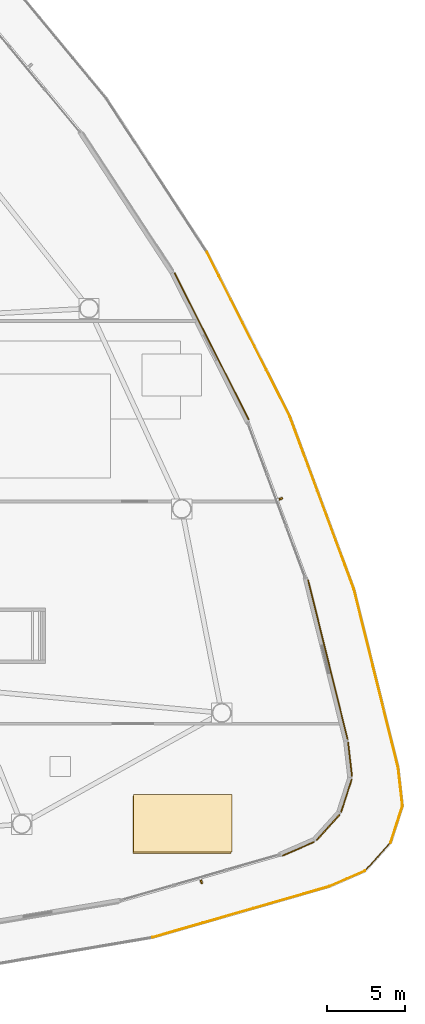
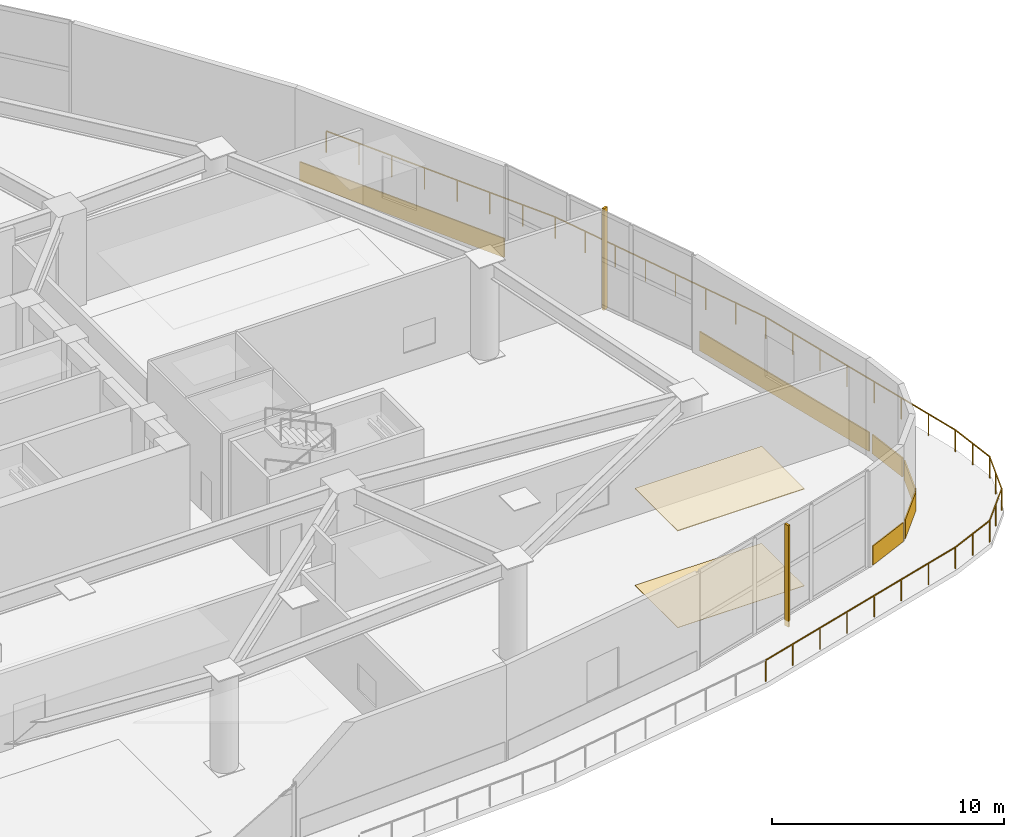
# One storey, part 24 of 25: 8 coverings, 8 railings, 2 shading devices.
"""IFC4 building model written with IfcOpenShell, lengths in metres."""

from ifc_helpers import new_model, si_unit, direction, frame, origin, origin_2d, place, context, subcontext, project, spatial, polyline, rectangle, outline, extrude, source, transform, mapped, material, layer, layer_set, type_object, type_shapes, element, save


model = new_model("IFC4")

# Units and contexts
model_context = context("Model", 3, precision=1e-05, world=origin(), true_north=direction((0.0, 1.0)))
body_context = subcontext(model_context, "Body", "Model", "MODEL_VIEW")
ifc_project = project(units=[si_unit("LENGTHUNIT", "METRE"), si_unit("AREAUNIT", "SQUARE_METRE"), si_unit("VOLUMEUNIT", "CUBIC_METRE"), si_unit("PLANEANGLEUNIT", "RADIAN"), si_unit("MASSUNIT", "GRAM", prefix="KILO")], contexts=[model_context])

# Site, building, storey
site_placement = place(None, origin())
site = spatial("IfcSite", under=ifc_project, at=site_placement, CompositionType="ELEMENT")
building_placement = place(site_placement, origin())
building = spatial("IfcBuilding", under=site, at=building_placement, Name="Tavelor Broadcast Tower", CompositionType="ELEMENT")
storey_placement = place(building_placement, frame((0.0, 0.0, 11.39990234375)))
storey = spatial("IfcBuildingStorey", under=building, at=storey_placement, Name="L02", CompositionType="ELEMENT", Elevation=11.39990234375)

# Covering
ifc_material_1 = material(Name="Acoustic Nylon Carpet Tile")
ifc_layer_1 = layer(ifc_material_1, 0.02001953125)
ifc_layer_set_1 = layer_set([ifc_layer_1], Name="Acoustic Nylon Carpet Tile")
covering_type_1 = type_object("IfcCoveringType", Name="Heavy-Duty Acoustic Broadcast Carpet Tile 20 mm", PredefinedType="FLOORING", material=ifc_layer_set_1)
covering_1_placement = place(storey_placement, origin())
element("IfcCovering", 1, at=covering_1_placement, inside=storey, type_object=covering_type_1, Name="L02 Broadcast Floor Finish 0027", PredefinedType="FLOORING", context=body_context, shape_type="SweptSolid", body=[
    extrude(outline(polyline([(72.10546875, 22.002685546875), (78.4013671875, 22.002685546875), (78.4013671875, 25.68359375), (72.10546875, 25.68359375), (72.10546875, 22.002685546875)])), origin(), (0.0, 0.0, 1.0), 0.02001953125),
])

# Railings
ifc_material_2 = material(Name="Steel S355", Category="steel")
railing_type = type_object("IfcRailingType", Name="Planted Terrace Laminated Glass Balustrade 1150 mm", PredefinedType="BALUSTRADE", material=ifc_material_2)
railing_1_placement = place(storey_placement, frame((73.37451171875, 16.621826171875, 0.0)))
element("IfcRailing", 2, at=railing_1_placement, inside=storey, type_object=railing_type, Name="L02 Cascading Garden Terrace 1 Balustrade #53", PredefinedType="BALUSTRADE", context=body_context, shape_type="SweptSolid", body=[
    extrude(rectangle(XDim=0.048095703125, YDim=0.048095703125, at=origin_2d()), frame((0.0, 0.0, 1.1259765625), z_axis=(0.960876050764, 0.276978726743, 0.0), x_axis=(-0.276978726743, 0.960876050764, 0.0)), (0.0, 0.0, 1.0), 11.793701171875),
    extrude(rectangle(XDim=0.0419921875, YDim=0.0419921875, at=origin_2d()), origin(), (0.0, 0.0, 1.0), 1.101806640625),
    extrude(rectangle(XDim=0.0419921875, YDim=0.0419921875, at=origin_2d()), frame((1.618896484375, 0.466552734375, 0.0)), (0.0, 0.0, 1.0), 1.101806640625),
    extrude(rectangle(XDim=0.0419921875, YDim=0.0419921875, at=origin_2d()), frame((3.23779296875, 0.933349609375, 0.0)), (0.0, 0.0, 1.0), 1.101806640625),
    extrude(rectangle(XDim=0.0419921875, YDim=0.0419921875, at=origin_2d()), frame((4.856689453125, 1.39990234375, 0.0)), (0.0, 0.0, 1.0), 1.101806640625),
    extrude(rectangle(XDim=0.0419921875, YDim=0.0419921875, at=origin_2d()), frame((6.4755859375, 1.86669921875, 0.0)), (0.0, 0.0, 1.0), 1.101806640625),
    extrude(rectangle(XDim=0.0419921875, YDim=0.0419921875, at=origin_2d()), frame((8.094482421875, 2.333251953125, 0.0)), (0.0, 0.0, 1.0), 1.101806640625),
    extrude(rectangle(XDim=0.0419921875, YDim=0.0419921875, at=origin_2d()), frame((9.71337890625, 2.800048828125, 0.0)), (0.0, 0.0, 1.0), 1.101806640625),
    extrude(rectangle(XDim=0.0419921875, YDim=0.0419921875, at=origin_2d()), frame((11.332275390625, 3.2666015625, 0.0)), (0.0, 0.0, 1.0), 1.101806640625),
])
railing_2_placement = place(storey_placement, frame((84.694580078125, 19.884033203125, 0.0)))
element("IfcRailing", 3, at=railing_2_placement, inside=storey, type_object=railing_type, Name="L02 Cascading Garden Terrace 1 Balustrade #54", PredefinedType="BALUSTRADE", context=body_context, shape_type="SweptSolid", body=[
    extrude(rectangle(XDim=0.048095703125, YDim=0.048095703125, at=origin_2d()), frame((0.0, 0.0, 1.1259765625), z_axis=(0.9167023735, 0.399570717671, 0.0), x_axis=(-0.399570717671, 0.9167023735, 0.0)), (0.0, 0.0, 1.0), 2.504638671875),
    extrude(rectangle(XDim=0.0419921875, YDim=0.0419921875, at=origin_2d()), origin(), (0.0, 0.0, 1.0), 1.101806640625),
    extrude(rectangle(XDim=0.0419921875, YDim=0.0419921875, at=origin_2d()), frame((1.14794921875, 0.50048828125, 0.0)), (0.0, 0.0, 1.0), 1.101806640625),
    extrude(rectangle(XDim=0.0419921875, YDim=0.0419921875, at=origin_2d()), frame((2.2958984375, 1.000732421875, 0.0)), (0.0, 0.0, 1.0), 1.101806640625),
])
railing_3_placement = place(storey_placement, frame((86.95654296875, 20.860107421875, 0.0)))
element("IfcRailing", 4, at=railing_3_placement, inside=storey, type_object=railing_type, Name="L02 Cascading Garden Terrace 1 Balustrade #55", PredefinedType="BALUSTRADE", context=body_context, shape_type="SweptSolid", body=[
    extrude(rectangle(XDim=0.048095703125, YDim=0.048095703125, at=origin_2d()), frame((0.0, 0.0, 1.1259765625), z_axis=(0.671040935309, 0.741420301273, 0.0), x_axis=(-0.741420301273, 0.671040935309, 0.0)), (0.0, 0.0, 1.0), 2.504638671875),
    extrude(rectangle(XDim=0.0419921875, YDim=0.0419921875, at=origin_2d()), origin(), (0.0, 0.0, 1.0), 1.101806640625),
    extrude(rectangle(XDim=0.0419921875, YDim=0.0419921875, at=origin_2d()), frame((0.84033203125, 0.928466796875, 0.0)), (0.0, 0.0, 1.0), 1.101806640625),
    extrude(rectangle(XDim=0.0419921875, YDim=0.0419921875, at=origin_2d()), frame((1.6806640625, 1.85693359375, 0.0)), (0.0, 0.0, 1.0), 1.101806640625),
])
railing_4_placement = place(storey_placement, frame((88.6162109375, 22.6806640625, 0.0)))
element("IfcRailing", 5, at=railing_4_placement, inside=storey, type_object=railing_type, Name="L02 Cascading Garden Terrace 1 Balustrade #56", PredefinedType="BALUSTRADE", context=body_context, shape_type="SweptSolid", body=[
    extrude(rectangle(XDim=0.048095703125, YDim=0.048095703125, at=origin_2d()), frame((0.0, 0.0, 1.1259765625), z_axis=(0.306472984864, 0.951879356614, 0.0), x_axis=(-0.951879356614, 0.306472984864, 0.0)), (0.0, 0.0, 1.0), 2.504638671875),
    extrude(rectangle(XDim=0.0419921875, YDim=0.0419921875, at=origin_2d()), origin(), (0.0, 0.0, 1.0), 1.101806640625),
    extrude(rectangle(XDim=0.0419921875, YDim=0.0419921875, at=origin_2d()), frame((0.3837890625, 1.19189453125, 0.0)), (0.0, 0.0, 1.0), 1.101806640625),
    extrude(rectangle(XDim=0.0419921875, YDim=0.0419921875, at=origin_2d()), frame((0.767578125, 2.384033203125, 0.0)), (0.0, 0.0, 1.0), 1.101806640625),
])
railing_5_placement = place(storey_placement, frame((89.379638671875, 25.022705078125, 0.0)))
element("IfcRailing", 6, at=railing_5_placement, inside=storey, type_object=railing_type, Name="L02 Cascading Garden Terrace 1 Balustrade #57", PredefinedType="BALUSTRADE", context=body_context, shape_type="SweptSolid", body=[
    extrude(rectangle(XDim=0.048095703125, YDim=0.048095703125, at=origin_2d()), frame((0.0, 0.0, 1.1259765625), z_axis=(-0.112282019589, 0.993676379953, 0.0), x_axis=(-0.993676379953, -0.112282019589, 0.0)), (0.0, 0.0, 1.0), 2.5048828125),
    extrude(rectangle(XDim=0.0419921875, YDim=0.0419921875, at=origin_2d()), origin(), (0.0, 0.0, 1.0), 1.101806640625),
    extrude(rectangle(XDim=0.0419921875, YDim=0.0419921875, at=origin_2d()), frame((-0.140625, 1.24462890625, 0.0)), (0.0, 0.0, 1.0), 1.101806640625),
    extrude(rectangle(XDim=0.0419921875, YDim=0.0419921875, at=origin_2d()), frame((-0.28125, 2.489013671875, 0.0)), (0.0, 0.0, 1.0), 1.101806640625),
])
railing_6_placement = place(storey_placement, frame((89.1005859375, 27.498779296875, 0.0)))
element("IfcRailing", 7, at=railing_6_placement, inside=storey, type_object=railing_type, Name="L02 Cascading Garden Terrace 1 Balustrade #58", PredefinedType="BALUSTRADE", context=body_context, shape_type="SweptSolid", body=[
    extrude(rectangle(XDim=0.048095703125, YDim=0.048095703125, at=origin_2d()), frame((0.0, 0.0, 1.1259765625), z_axis=(-0.240567305341, 0.970632459585, 0.0), x_axis=(-0.970632459585, -0.240567305341, 0.0)), (0.0, 0.0, 1.0), 11.793701171875),
    extrude(rectangle(XDim=0.0419921875, YDim=0.0419921875, at=origin_2d()), origin(), (0.0, 0.0, 1.0), 1.101806640625),
    extrude(rectangle(XDim=0.0419921875, YDim=0.0419921875, at=origin_2d()), frame((-0.4052734375, 1.63525390625, 0.0)), (0.0, 0.0, 1.0), 1.101806640625),
    extrude(rectangle(XDim=0.0419921875, YDim=0.0419921875, at=origin_2d()), frame((-0.810546875, 3.270751953125, 0.0)), (0.0, 0.0, 1.0), 1.101806640625),
    extrude(rectangle(XDim=0.0419921875, YDim=0.0419921875, at=origin_2d()), frame((-1.2158203125, 4.906005859375, 0.0)), (0.0, 0.0, 1.0), 1.101806640625),
    extrude(rectangle(XDim=0.0419921875, YDim=0.0419921875, at=origin_2d()), frame((-1.621337890625, 6.541259765625, 0.0)), (0.0, 0.0, 1.0), 1.101806640625),
    extrude(rectangle(XDim=0.0419921875, YDim=0.0419921875, at=origin_2d()), frame((-2.026611328125, 8.176513671875, 0.0)), (0.0, 0.0, 1.0), 1.101806640625),
    extrude(rectangle(XDim=0.0419921875, YDim=0.0419921875, at=origin_2d()), frame((-2.431884765625, 9.81201171875, 0.0)), (0.0, 0.0, 1.0), 1.101806640625),
    extrude(rectangle(XDim=0.0419921875, YDim=0.0419921875, at=origin_2d()), frame((-2.837158203125, 11.447265625, 0.0)), (0.0, 0.0, 1.0), 1.101806640625),
])
railing_7_placement = place(storey_placement, frame((86.2666015625, 38.935302734375, 0.0)))
element("IfcRailing", 8, at=railing_7_placement, inside=storey, type_object=railing_type, Name="L02 Cascading Garden Terrace 1 Balustrade #59", PredefinedType="BALUSTRADE", context=body_context, shape_type="SweptSolid", body=[
    extrude(rectangle(XDim=0.048095703125, YDim=0.048095703125, at=origin_2d()), frame((0.0, 0.0, 1.1259765625), z_axis=(-0.347772777481, 0.937578847481, 0.0), x_axis=(-0.937578847481, -0.347772777481, 0.0)), (0.0, 0.0, 1.0), 11.793701171875),
    extrude(rectangle(XDim=0.0419921875, YDim=0.0419921875, at=origin_2d()), origin(), (0.0, 0.0, 1.0), 1.101806640625),
    extrude(rectangle(XDim=0.0419921875, YDim=0.0419921875, at=origin_2d()), frame((-0.5859375, 1.57958984375, 0.0)), (0.0, 0.0, 1.0), 1.101806640625),
    extrude(rectangle(XDim=0.0419921875, YDim=0.0419921875, at=origin_2d()), frame((-1.171875, 3.159423828125, 0.0)), (0.0, 0.0, 1.0), 1.101806640625),
    extrude(rectangle(XDim=0.0419921875, YDim=0.0419921875, at=origin_2d()), frame((-1.7578125, 4.739013671875, 0.0)), (0.0, 0.0, 1.0), 1.101806640625),
    extrude(rectangle(XDim=0.0419921875, YDim=0.0419921875, at=origin_2d()), frame((-2.34375, 6.318603515625, 0.0)), (0.0, 0.0, 1.0), 1.101806640625),
    extrude(rectangle(XDim=0.0419921875, YDim=0.0419921875, at=origin_2d()), frame((-2.9296875, 7.898193359375, 0.0)), (0.0, 0.0, 1.0), 1.101806640625),
    extrude(rectangle(XDim=0.0419921875, YDim=0.0419921875, at=origin_2d()), frame((-3.515625, 9.47802734375, 0.0)), (0.0, 0.0, 1.0), 1.101806640625),
    extrude(rectangle(XDim=0.0419921875, YDim=0.0419921875, at=origin_2d()), frame((-4.1015625, 11.0576171875, 0.0)), (0.0, 0.0, 1.0), 1.101806640625),
])
railing_8_placement = place(storey_placement, frame((82.16943359375, 49.982666015625, 0.0)))
element("IfcRailing", 9, at=railing_8_placement, inside=storey, type_object=railing_type, Name="L02 Cascading Garden Terrace 1 Balustrade #60", PredefinedType="BALUSTRADE", context=body_context, shape_type="SweptSolid", body=[
    extrude(rectangle(XDim=0.048095703125, YDim=0.048095703125, at=origin_2d()), frame((0.0, 0.0, 1.1259765625), z_axis=(-0.450621886257, 0.892714912851, 0.0), x_axis=(-0.892714912851, -0.450621886257, 0.0)), (0.0, 0.0, 1.0), 11.793701171875),
    extrude(rectangle(XDim=0.0419921875, YDim=0.0419921875, at=origin_2d()), origin(), (0.0, 0.0, 1.0), 1.101806640625),
    extrude(rectangle(XDim=0.0419921875, YDim=0.0419921875, at=origin_2d()), frame((-0.75927734375, 1.504150390625, 0.0)), (0.0, 0.0, 1.0), 1.101806640625),
    extrude(rectangle(XDim=0.0419921875, YDim=0.0419921875, at=origin_2d()), frame((-1.518310546875, 3.008056640625, 0.0)), (0.0, 0.0, 1.0), 1.101806640625),
    extrude(rectangle(XDim=0.0419921875, YDim=0.0419921875, at=origin_2d()), frame((-2.277587890625, 4.51220703125, 0.0)), (0.0, 0.0, 1.0), 1.101806640625),
    extrude(rectangle(XDim=0.0419921875, YDim=0.0419921875, at=origin_2d()), frame((-3.036865234375, 6.01611328125, 0.0)), (0.0, 0.0, 1.0), 1.101806640625),
    extrude(rectangle(XDim=0.0419921875, YDim=0.0419921875, at=origin_2d()), frame((-3.796142578125, 7.520263671875, 0.0)), (0.0, 0.0, 1.0), 1.101806640625),
    extrude(rectangle(XDim=0.0419921875, YDim=0.0419921875, at=origin_2d()), frame((-4.55517578125, 9.024169921875, 0.0)), (0.0, 0.0, 1.0), 1.101806640625),
    extrude(rectangle(XDim=0.0419921875, YDim=0.0419921875, at=origin_2d()), frame((-5.314453125, 10.5283203125, 0.0)), (0.0, 0.0, 1.0), 1.101806640625),
])

# Coverings
ifc_material_3 = material(Name="Kiln-Fired Glazed Terracotta", Category="masonry")
ifc_layer_2 = layer(ifc_material_3, 0.06494140625)
ifc_layer_set_2 = layer_set([ifc_layer_2], Name="Kiln-Fired Glazed Terracotta")
covering_type_2 = type_object("IfcCoveringType", Name="Ribbed Terracotta Rainscreen Spandrel Cladding 65 mm", PredefinedType="CLADDING", material=ifc_layer_set_2)
for number, where, z_axis, x_axis, name in (
    (10, (82.71044921875, 22.291748046875, 0.050048828125), (0.0, 0.0, 1.0), (0.916711751032, 0.399549202878, 0.0), "L02 Terracotta Spandrel Rainscreen 21"),
    (11, (84.615478515625, 23.66064453125, 0.050048828125), (0.0, 0.0, 1.0), (0.671073859667, 0.741390500932, 0.0), "L02 Terracotta Spandrel Rainscreen 22"),
    (12, (85.7880859375, 25.69189453125, 0.050048828125), (0.0, 0.0, 1.0), (0.306526078098, 0.951862260753, 0.0), "L02 Terracotta Spandrel Rainscreen 23"),
    (13, (86.021240234375, 28.02587890625, 0.050048828125), (0.0, 0.0, 1.0), (-0.112336115762, 0.99367026578, 0.0), "L02 Terracotta Spandrel Rainscreen 24"),
):
    element("IfcCovering", number, at=place(storey_placement, frame(where, z_axis=z_axis, x_axis=x_axis)), inside=storey, type_object=covering_type_2, Name=name, PredefinedType="CLADDING", context=body_context, shape_type="SweptSolid", body=[
        extrude(rectangle(XDim=2.199462890625, YDim=0.06494140625, at=origin_2d()), origin(), (0.0, 0.0, 1.0), 1.0),
    ])
for number, where, z_axis, x_axis, name in (
    (14, (84.595458984375, 34.427001953125, 0.050048828125), (0.0, 0.0, 1.0), (-0.240566871809, 0.970632567035, 0.0), "L02 Terracotta Spandrel Rainscreen 25"),
    (15, (77.1533203125, 54.489990234375, 0.050048828125), (0.0, 0.0, 1.0), (-0.450565941999, 0.892743150022, 0.0), "L02 Terracotta Spandrel Rainscreen 27"),
):
    element("IfcCovering", number, at=place(storey_placement, frame(where, z_axis=z_axis, x_axis=x_axis)), inside=storey, type_object=covering_type_2, Name=name, PredefinedType="CLADDING", context=body_context, shape_type="SweptSolid", body=[
        extrude(rectangle(XDim=10.533203125, YDim=0.06494140625, at=origin_2d()), origin(), (0.0, 0.0, 1.0), 1.0),
    ])
ifc_material_4 = material(Name="Acoustic Mineral Fibre Tile")
ifc_layer_3 = layer(ifc_material_4, 0.0400390625)
ifc_layer_set_3 = layer_set([ifc_layer_3], Name="Acoustic Mineral Fibre Tile")
covering_type_3 = type_object("IfcCoveringType", Name="Suspended Acoustic Mineral-Fibre Office Ceiling 40 mm", PredefinedType="CEILING", material=ifc_layer_set_3)
covering_2_placement = place(storey_placement, frame((0.0, 0.0, 5.010009765625)))
element("IfcCovering", 16, at=covering_2_placement, inside=storey, type_object=covering_type_3, Name="L02 Suspended Acoustic Ceiling 0067", PredefinedType="CEILING", context=body_context, shape_type="SweptSolid", body=[
    extrude(outline(polyline([(72.154296875, 22.100830078125), (78.46533203125, 22.100830078125), (78.46533203125, 25.7734375), (72.154296875, 25.7734375), (72.154296875, 22.100830078125)])), origin(), (0.0, 0.0, 1.0), 0.0400390625),
])

# Shading devices
shading_device_type = type_object("IfcShadingDeviceType", Name="Extruded Terracotta Baguette Sun-Screen 110x240", PredefinedType="JALOUSIE", material=ifc_material_3)
shared_shape = source(origin(), body_context, "Body", "SweptSolid", [
    extrude(rectangle(XDim=0.110107421875, YDim=0.239990234375, at=origin_2d()), origin(), (0.0, 0.0, 1.0), 5.340087890625),
])
type_shapes(shading_device_type, [shared_shape])
for number, where, z_axis, x_axis, name in (
    (17, (76.498291015625, 20.17236328125, -0.31005859375), (0.0, 0.0, 1.0), (0.960875896697, 0.276979261222, 0.0), "L02 Terracotta Baguette Fin 10"),
    (18, (81.587890625, 44.72314453125, -0.31005859375), (0.0, 0.0, 1.0), (-0.347753981862, 0.937585819058, 0.0), "L02 Terracotta Baguette Fin 11"),
):
    element("IfcShadingDevice", number, at=place(storey_placement, frame(where, z_axis=z_axis, x_axis=x_axis)), inside=storey, type_object=shading_device_type, Name=name, PredefinedType="JALOUSIE", context=body_context, shape_type="MappedRepresentation", body=[
        mapped(shared_shape, transform((0.0, 0.0, 0.0), scale=1.0)),
    ])

save(model, "model.ifc")
